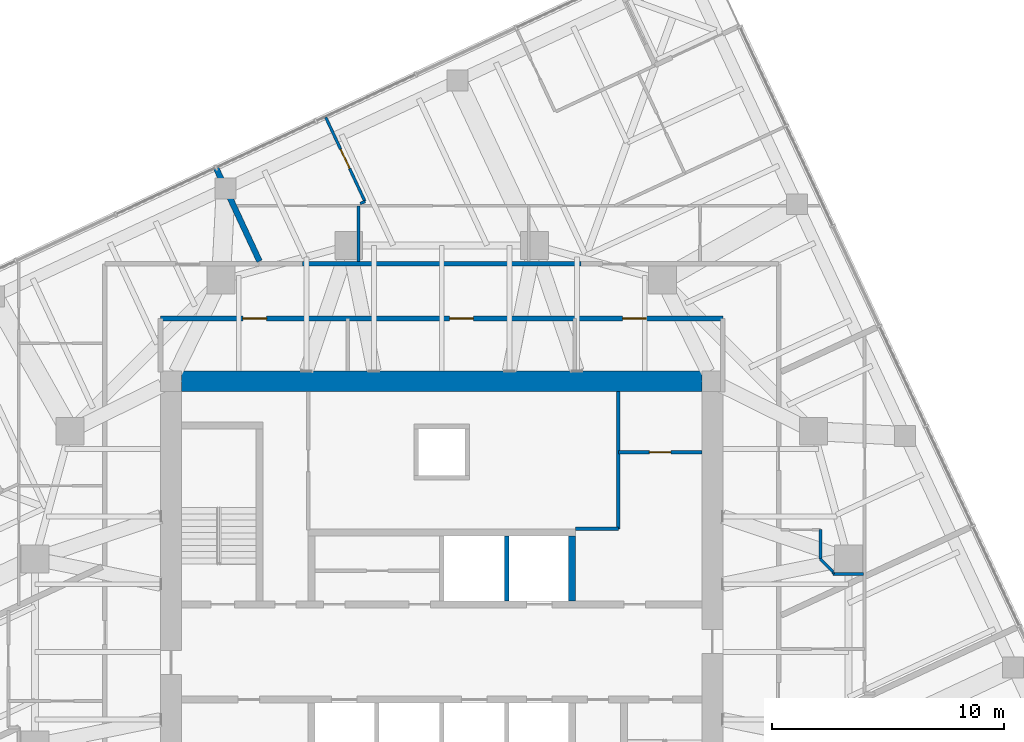
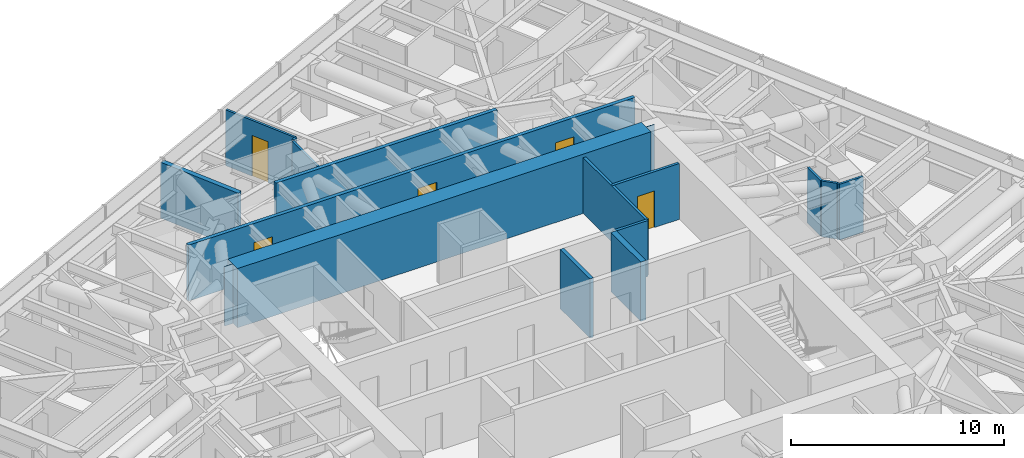
# One storey, part 13 of 16: 16 walls, 5 doors, 5 openings.
"""IFC4 building model written with IfcOpenShell, lengths in metres."""

import ifcopenshell
import ifcopenshell.guid

model = None  # the IFC model being written
_history = None  # IfcOwnerHistory: only IFC2X3 demands one
_inside = {}  # id of a spatial element -> (the spatial element, [elements in it])
_under = {}  # id of a project, library or spatial element -> (it, [spatial elements below it])
_declared = {}  # id of a project -> (the project, [libraries it declares])
_typed = {}  # id of a type object -> (the type object, [elements of that type])
_made_of = {}  # id of a material, layer set ... -> (it, [elements and type objects made of it])


def new_model(schema):
    """Start an empty IFC model of exactly this schema.

    Asked for "IFC4X3", IfcOpenShell would pick the latest addendum, in which some entities
    have other attributes; the version numbers below select the first issue.
    IFC2X3 requires an IfcOwnerHistory on every rooted entity: one is made here for all.
    """
    global model, _history
    if schema == "IFC4X3":
        model = ifcopenshell.file(schema_version=(4, 3, 0, 0))
    else:
        model = ifcopenshell.file(schema=schema)
    _inside.clear()
    _under.clear()
    _declared.clear()
    _typed.clear()
    _made_of.clear()
    _history = None
    if model.schema == "IFC2X3":
        org = make("IfcOrganization", Name="unknown")
        user = make(
            "IfcPersonAndOrganization",
            ThePerson=make("IfcPerson", FamilyName="unknown"),
            TheOrganization=org,
        )
        app = make(
            "IfcApplication",
            ApplicationDeveloper=org,
            Version="unknown",
            ApplicationFullName="unknown",
            ApplicationIdentifier="unknown",
        )
        _history = make(
            "IfcOwnerHistory",
            OwningUser=user,
            OwningApplication=app,
            ChangeAction="ADDED",
            CreationDate=0,
        )
    return model


def make(cls, **values):
    """One entity of the class cls with the attributes given. An attribute that is None is left unset."""
    return model.create_entity(
        cls, **{name: value for name, value in values.items() if value is not None}
    )


def rooted(cls, **values):
    """An entity with a GlobalId (a new one), such as an element, a storey or a relation."""
    return make(cls, GlobalId=ifcopenshell.guid.new(), OwnerHistory=_history, **values)


def si_unit(unit_type, name, prefix=None):
    """IfcSIUnit, for example si_unit("LENGTHUNIT", "METRE", prefix="MILLI")."""
    return make("IfcSIUnit", UnitType=unit_type, Prefix=prefix, Name=name)


def assignment(units):
    """IfcUnitAssignment: the units of a project."""
    return None if units is None else make("IfcUnitAssignment", Units=units)


def point(xyz):
    """IfcCartesianPoint."""
    return None if xyz is None else make("IfcCartesianPoint", Coordinates=xyz)


def direction(xyz):
    """IfcDirection."""
    return None if xyz is None else make("IfcDirection", DirectionRatios=xyz)


def frame(location, z_axis=None, x_axis=None):
    """IfcAxis2Placement3D, a coordinate frame: its origin and axes. An axis left out is left unset."""
    return make(
        "IfcAxis2Placement3D",
        Location=point(location),
        Axis=direction(z_axis),
        RefDirection=direction(x_axis),
    )


def frame_2d(location, x_axis=None):
    """IfcAxis2Placement2D, a coordinate frame in the plane: its origin and x axis."""
    return make(
        "IfcAxis2Placement2D", Location=point(location), RefDirection=direction(x_axis)
    )


def origin():
    """The frame at (0, 0, 0) with its axes left unset."""
    return frame((0.0, 0.0, 0.0))


def place(relative_to, where):
    """IfcLocalPlacement: puts the frame where relative to a parent placement (None: the world)."""
    return make(
        "IfcLocalPlacement", PlacementRelTo=relative_to, RelativePlacement=where
    )


def context(
    kind, dimensions, precision=None, world=None, true_north=None, identifier=None
):
    """IfcGeometricRepresentationContext, for example the 3D "Model" context."""
    return make(
        "IfcGeometricRepresentationContext",
        ContextIdentifier=identifier,
        ContextType=kind,
        CoordinateSpaceDimension=dimensions,
        Precision=precision,
        WorldCoordinateSystem=world,
        TrueNorth=true_north,
    )


def subcontext(parent, identifier, kind, view, scale=None):
    """IfcGeometricRepresentationSubContext, for example "Body" below "Model"."""
    return make(
        "IfcGeometricRepresentationSubContext",
        ContextIdentifier=identifier,
        ContextType=kind,
        ParentContext=parent,
        TargetScale=scale,
        TargetView=view,
    )


def project(units=None, contexts=None):
    """IfcProject with its units and contexts."""
    return rooted(
        "IfcProject",
        Name="project",
        RepresentationContexts=contexts,
        UnitsInContext=assignment(units),
    )


def spatial(cls, under=None, at=None, **own):
    """A site, building, storey or space (cls), placed at a placement, below another one or the project."""
    s = rooted(cls, ObjectPlacement=at, **own)
    if under is not None:
        _under.setdefault(under.id(), (under, []))[1].append(s)
    return s


def polyline(points):
    """IfcPolyline through the points."""
    return make("IfcPolyline", Points=[point(p) for p in points])


def profile(cls, at=None, kind="AREA", **sizes):
    """A parametric profile (cls). Its sizes go by their IFC names, for example OverallWidth=200.0."""
    return make(cls, ProfileType=kind, Position=at, **sizes)


def rectangle(**sizes):
    """IfcRectangleProfileDef."""
    return profile("IfcRectangleProfileDef", **sizes)


def outline(outer, holes=None, kind="AREA"):
    """IfcArbitraryClosedProfileDef: a profile drawn as a closed curve; with holes, ...WithVoids."""
    if holes is None:
        return make("IfcArbitraryClosedProfileDef", ProfileType=kind, OuterCurve=outer)
    return make(
        "IfcArbitraryProfileDefWithVoids",
        ProfileType=kind,
        OuterCurve=outer,
        InnerCurves=holes,
    )


def extrude(swept, where, along, depth):
    """IfcExtrudedAreaSolid: the profile swept, set in the frame where, extruded along a direction by depth."""
    return make(
        "IfcExtrudedAreaSolid",
        SweptArea=swept,
        Position=where,
        ExtrudedDirection=direction(along),
        Depth=depth,
    )


def shape(context_of_items, identifier, shape_type, items):
    """IfcShapeRepresentation: the items that make up one representation, for example the "Body"."""
    return make(
        "IfcShapeRepresentation",
        ContextOfItems=context_of_items,
        RepresentationIdentifier=identifier,
        RepresentationType=shape_type,
        Items=items,
    )


def material(Name=None, Category=None):
    """IfcMaterial."""
    return make("IfcMaterial", Name=Name, Category=Category)


def layer(
    of_material, thickness, ventilated=None, Name=None, Category=None, Priority=None
):
    """IfcMaterialLayer: one layer of a wall or slab, of a material (None: an air gap)."""
    return make(
        "IfcMaterialLayer",
        Material=of_material,
        LayerThickness=thickness,
        IsVentilated=ventilated,
        Name=Name,
        Category=Category,
        Priority=Priority,
    )


def layer_set(layers, Name=None):
    """IfcMaterialLayerSet."""
    return make("IfcMaterialLayerSet", MaterialLayers=layers, LayerSetName=Name)


def made_of(thing, what):
    """Note that an element or type object is made of a material, layer set ...; save() writes the relation."""
    if what is not None:
        _made_of.setdefault(what.id(), (what, []))[1].append(thing)
    return thing


def type_object(cls, material=None, **own):
    """A type object (cls), such as IfcWallType, which elements share."""
    return made_of(rooted(cls, **own), material)


def element(
    cls,
    number,
    at=None,
    inside=None,
    cuts=None,
    type_object=None,
    material=None,
    context=None,
    identifier="Body",
    shape_type=None,
    held_by="IfcProductDefinitionShape",
    body=None,
    shapes=None,
    **own,
):
    """One element of the class cls, such as IfcWall. Its Tag is "e" and its number.

    at: its placement. inside: the storey or other place that contains it. cuts: it is an
    opening in that element (IfcRelVoidsElement). A single representation is given by context,
    identifier, shape_type and body (its items); several are given by shapes. held_by: the class
    of the entity that holds the representations. save() writes the other relations.
    """
    e = rooted(cls, Tag="e%d" % number, ObjectPlacement=at, **own)
    if body is not None:
        shapes = [shape(context, identifier, shape_type, body)]
    if shapes is not None:
        e.Representation = make(held_by, Representations=shapes)
    if inside is not None:
        _inside.setdefault(inside.id(), (inside, []))[1].append(e)
    if cuts is not None:
        rooted(
            "IfcRelVoidsElement", RelatingBuildingElement=cuts, RelatedOpeningElement=e
        )
    if type_object is not None:
        _typed.setdefault(type_object.id(), (type_object, []))[1].append(e)
    return made_of(e, material)


def fill(opening, filler):
    """IfcRelFillsElement: the door or window that sits in an opening."""
    return rooted(
        "IfcRelFillsElement",
        RelatingOpeningElement=opening,
        RelatedBuildingElement=filler,
    )


def aggregate(whole, parts):
    """IfcRelAggregates: a whole, such as a stair, and the parts it consists of."""
    return rooted("IfcRelAggregates", RelatingObject=whole, RelatedObjects=parts)


def save(model, path):
    """Write the relations noted so far, then the file.

    IfcRelAggregates (storeys below a building ...), IfcRelContainedInSpatialStructure (elements
    in a storey), IfcRelDefinesByType, IfcRelAssociatesMaterial and IfcRelDeclares: one each for
    every whole, place, type object, material and project.
    """
    for whole, parts in _under.values():
        aggregate(whole, parts)
    for where, things in _inside.values():
        rooted(
            "IfcRelContainedInSpatialStructure",
            RelatedElements=things,
            RelatingStructure=where,
        )
    for kind, things in _typed.values():
        rooted("IfcRelDefinesByType", RelatedObjects=things, RelatingType=kind)
    for what, things in _made_of.values():
        rooted("IfcRelAssociatesMaterial", RelatedObjects=things, RelatingMaterial=what)
    for by, libraries in _declared.values():
        rooted("IfcRelDeclares", RelatingContext=by, RelatedDefinitions=libraries)
    model.write(path)


model = new_model("IFC4")

# Units and contexts
model_context = context("Model", 3, precision=1e-05, world=origin(), true_north=direction((0.0, 1.0)))
body_context = subcontext(model_context, "Body", "Model", "MODEL_VIEW")
ifc_project = project(units=[si_unit("LENGTHUNIT", "METRE"), si_unit("AREAUNIT", "SQUARE_METRE"), si_unit("VOLUMEUNIT", "CUBIC_METRE"), si_unit("PLANEANGLEUNIT", "RADIAN"), si_unit("MASSUNIT", "GRAM", prefix="KILO")], contexts=[model_context])

# Site, building, storey
site_placement = place(None, origin())
site = spatial("IfcSite", under=ifc_project, at=site_placement, CompositionType="ELEMENT")
building_placement = place(site_placement, origin())
building = spatial("IfcBuilding", under=site, at=building_placement, Name="Torsade Residences", CompositionType="ELEMENT")
storey_placement = place(building_placement, frame((0.0, 0.0, 199.800048828125)))
storey = spatial("IfcBuildingStorey", under=building, at=storey_placement, Name="L55", CompositionType="ELEMENT", Elevation=199.800048828125)

# Walls
ifc_material_1 = material(Name="Concrete 80 MPa", Category="concrete")
ifc_layer_1 = layer(ifc_material_1, 0.300048828125)
ifc_layer_set_1 = layer_set([ifc_layer_1], Name="Concrete 80 MPa")
wall_type_1 = type_object("IfcWallType", Name="CORE INTERNAL WALL 300", PredefinedType="SHEAR", material=ifc_layer_set_1)
wall_1_placement = place(storey_placement, frame((45.60009765625, 32.199951171875, 0.0), z_axis=(0.0, 0.0, 1.0), x_axis=(0.0, 1.0, 0.0)))
element("IfcWall", 1, at=wall_1_placement, inside=storey, type_object=wall_type_1, Name="Core wall DN4 L55", PredefinedType="SHEAR", context=body_context, shape_type="SweptSolid", body=[
    extrude(rectangle(XDim=2.800048828125, YDim=0.300048828125, at=frame_2d((1.39990234375, 0.0))), origin(), (0.0, 0.0, 1.0), 3.39990234375),
])
ifc_material_2 = material(Name="Concrete 80 MPa", Category="concrete")
ifc_layer_2 = layer(ifc_material_2, 0.89990234375)
ifc_layer_set_2 = layer_set([ifc_layer_2], Name="Concrete 80 MPa")
wall_type_2 = type_object("IfcWallType", Name="CORE WALL 900", PredefinedType="SHEAR", material=ifc_layer_set_2)
wall_2_placement = place(storey_placement, frame((28.800048828125, 41.64990234375, 0.0), z_axis=(0.0, 0.0, 1.0), x_axis=(1.0, 0.0, 0.0)))
element("IfcWall", 2, at=wall_2_placement, inside=storey, type_object=wall_type_2, Name="Core wall N L55", PredefinedType="SHEAR", context=body_context, shape_type="SweptSolid", body=[
    extrude(outline(polyline([(0.0, -0.449951171875), (22.39990234375, -0.449951171875), (22.39990234375, -0.02490234375), (22.849853515625, -0.02490234375), (22.849853515625, 0.02490234375), (22.39990234375, 0.02490234375), (22.39990234375, 0.449951171875), (0.0, 0.449951171875), (0.0, 0.02490234375), (-0.449951171875, 0.02490234375), (-0.449951171875, -0.02490234375), (0.0, -0.02490234375), (0.0, -0.449951171875)])), origin(), (0.0, 0.0, 1.0), 3.39990234375),
])
ifc_material_3 = material(Name="Plasterboard on steel stud", Category="steel")
ifc_layer_3 = layer(ifc_material_3, 0.199951171875)
ifc_layer_set_3 = layer_set([ifc_layer_3], Name="Plasterboard on steel stud")
wall_type_3 = type_object("IfcWallType", Name="CORRIDOR WALL 200", PredefinedType="PARTITIONING", material=ifc_layer_set_3)
wall_3_placement = place(storey_placement, frame((45.99658203125, 46.699951171875, 0.0), z_axis=(0.0, 0.0, 1.0), x_axis=(-1.0, 0.0, 0.0)))
element("IfcWall", 3, at=wall_3_placement, inside=storey, type_object=wall_type_3, Name="Corridor wall L55", PredefinedType="PARTITIONING", context=body_context, shape_type="SweptSolid", body=[
    extrude(rectangle(XDim=11.9931640625, YDim=0.199951171875, at=frame_2d((5.99658203125, 0.0))), origin(), (0.0, 0.0, 1.0), 3.199951171875),
])

# Wall, openings, doors
wall_4_placement = place(storey_placement, frame((52.10009765625, 44.35009765625, 0.0), z_axis=(0.0, 0.0, 1.0), x_axis=(-1.0, 0.0, 0.0)))
wall_4 = element("IfcWall", 4, at=wall_4_placement, inside=storey, type_object=wall_type_3, Name="Corridor wall L55", PredefinedType="PARTITIONING", context=body_context, shape_type="SweptSolid", body=[
    extrude(rectangle(XDim=24.2001953125, YDim=0.199951171875, at=frame_2d((12.10009765625, 0.0))), origin(), (0.0, 0.0, 1.0), 3.199951171875),
])
opening_1_placement = place(wall_4_placement, frame((10.742919921875, 0.0, 0.0)))
opening_1 = element("IfcOpeningElement", 5, at=opening_1_placement, cuts=wall_4, Name="Opening D03", PredefinedType="OPENING", context=body_context, shape_type="SweptSolid", body=[
    extrude(rectangle(XDim=1.02001953125, YDim=2.10009765625, at=frame_2d((0.510009765625, 1.050048828125))), frame((0.0, 0.10986328125, 0.0), z_axis=(0.0, -1.0, 0.0), x_axis=(1.0, 0.0, 0.0)), (0.0, 0.0, 1.0), 0.219970703125),
])
opening_2_placement = place(wall_4_placement, frame((19.6357421875, 0.0, 0.0)))
opening_2 = element("IfcOpeningElement", 6, at=opening_2_placement, cuts=wall_4, Name="Opening D03", PredefinedType="OPENING", context=body_context, shape_type="SweptSolid", body=[
    extrude(rectangle(XDim=1.02001953125, YDim=2.10009765625, at=frame_2d((0.510009765625, 1.050048828125))), frame((0.0, 0.10986328125, 0.0), z_axis=(0.0, -1.0, 0.0), x_axis=(1.0, 0.0, 0.0)), (0.0, 0.0, 1.0), 0.219970703125),
])
opening_3_placement = place(wall_4_placement, frame((3.29736328125, 0.0, 0.0)))
opening_3 = element("IfcOpeningElement", 7, at=opening_3_placement, cuts=wall_4, Name="Opening D03", PredefinedType="OPENING", context=body_context, shape_type="SweptSolid", body=[
    extrude(rectangle(XDim=1.02001953125, YDim=2.10009765625, at=frame_2d((0.510009765625, 1.050048828125))), frame((0.0, 0.10986328125, 0.0), z_axis=(0.0, -1.0, 0.0), x_axis=(1.0, 0.0, 0.0)), (0.0, 0.0, 1.0), 0.219970703125),
])
ifc_material_4 = material(Name="Steel-framed fire door", Category="steel")
door_type_1 = type_object("IfcDoorType", Name="FIRE DOOR 1020", OperationType="NOTDEFINED", PredefinedType="DOOR", material=ifc_material_4)
door_1_placement = place(opening_1_placement, origin())
door_1 = element("IfcDoor", 8, at=door_1_placement, inside=storey, type_object=door_type_1, Name="Door Residential corridor to Residents storage", OperationType="SINGLE_SWING_LEFT", OverallHeight=2.10009765625, OverallWidth=1.02001953125, PredefinedType="DOOR", context=body_context, shape_type="SweptSolid", body=[
    extrude(rectangle(XDim=1.02001953125, YDim=2.10009765625, at=frame_2d((0.510009765625, 1.050048828125))), frame((0.0, 0.02490234375, 0.0), z_axis=(0.0, -1.0, 0.0), x_axis=(1.0, 0.0, 0.0)), (0.0, 0.0, 1.0), 0.050048828125),
])
fill(opening_1, door_1)
door_2_placement = place(opening_2_placement, origin())
door_2 = element("IfcDoor", 9, at=door_2_placement, inside=storey, type_object=door_type_1, Name="Door Residential corridor to Bulk store", OperationType="SINGLE_SWING_LEFT", OverallHeight=2.10009765625, OverallWidth=1.02001953125, PredefinedType="DOOR", context=body_context, shape_type="SweptSolid", body=[
    extrude(rectangle(XDim=1.02001953125, YDim=2.10009765625, at=frame_2d((0.510009765625, 1.050048828125))), frame((0.0, 0.02490234375, 0.0), z_axis=(0.0, -1.0, 0.0), x_axis=(1.0, 0.0, 0.0)), (0.0, 0.0, 1.0), 0.050048828125),
])
fill(opening_2, door_2)
door_3_placement = place(opening_3_placement, origin())
door_3 = element("IfcDoor", 10, at=door_3_placement, inside=storey, type_object=door_type_1, Name="Door Residential corridor to Parcel room", OperationType="SINGLE_SWING_RIGHT", OverallHeight=2.10009765625, OverallWidth=1.02001953125, PredefinedType="DOOR", context=body_context, shape_type="SweptSolid", body=[
    extrude(rectangle(XDim=1.02001953125, YDim=2.10009765625, at=frame_2d((0.510009765625, 1.050048828125))), frame((0.0, 0.02490234375, 0.0), z_axis=(0.0, -1.0, 0.0), x_axis=(1.0, 0.0, 0.0)), (0.0, 0.0, 1.0), 0.050048828125),
])
fill(opening_3, door_3)

# Walls
ifc_material_5 = material(Name="Reinforced blockwork", Category="masonry")
ifc_layer_4 = layer(ifc_material_5, 0.199951171875)
ifc_layer_set_4 = layer_set([ifc_layer_4], Name="Reinforced blockwork")
wall_type_4 = type_object("IfcWallType", Name="LIFT SHAFT DIVIDING WALL 200", PredefinedType="SOLIDWALL", material=ifc_layer_set_4)
wall_5_placement = place(storey_placement, frame((42.800048828125, 32.199951171875, 0.0), z_axis=(0.0, 0.0, 1.0), x_axis=(0.0, 1.0, 0.0)))
element("IfcWall", 11, at=wall_5_placement, inside=storey, type_object=wall_type_4, Name="Core wall DN3 L55", PredefinedType="SOLIDWALL", context=body_context, shape_type="SweptSolid", body=[
    extrude(rectangle(XDim=2.800048828125, YDim=0.199951171875, at=frame_2d((1.39990234375, 0.0))), origin(), (0.0, 0.0, 1.0), 3.39990234375),
])
ifc_material_6 = material(Name="Plasterboard on steel stud", Category="steel")
ifc_layer_5 = layer(ifc_material_6, 0.1201171875)
ifc_layer_set_5 = layer_set([ifc_layer_5], Name="Plasterboard on steel stud")
wall_type_5 = type_object("IfcWallType", Name="PARTITION 120", PredefinedType="PARTITIONING", material=ifc_layer_set_5)
wall_6_placement = place(storey_placement, frame((58.14990234375, 33.35009765625, 0.0), z_axis=(0.0, 0.0, 1.0), x_axis=(-1.0, 0.0, 0.0)))
element("IfcWall", 12, at=wall_6_placement, inside=storey, type_object=wall_type_5, Name="Partition L55", PredefinedType="PARTITIONING", context=body_context, shape_type="SweptSolid", body=[
    extrude(rectangle(XDim=1.2998046875, YDim=0.1201171875, at=frame_2d((0.64990234375, 0.0))), origin(), (0.0, 0.0, 1.0), 3.199951171875),
])
wall_7_placement = place(storey_placement, frame((56.85009765625, 33.449951171875, 0.0), z_axis=(0.0, 0.0, 1.0), x_axis=(-0.707106781187, 0.707106781187, 0.0)))
element("IfcWall", 13, at=wall_7_placement, inside=storey, type_object=wall_type_5, Name="Partition L55", PredefinedType="PARTITIONING", context=body_context, shape_type="SweptSolid", body=[
    extrude(rectangle(XDim=0.77783203125, YDim=0.1201171875, at=frame_2d((0.388916015625, 0.0))), origin(), (0.0, 0.0, 1.0), 3.199951171875),
])
wall_8_placement = place(storey_placement, frame((56.300048828125, 34.0, 0.0), z_axis=(0.0, 0.0, 1.0), x_axis=(0.0, 1.0, 0.0)))
element("IfcWall", 14, at=wall_8_placement, inside=storey, type_object=wall_type_5, Name="Partition L55", PredefinedType="PARTITIONING", context=body_context, shape_type="SweptSolid", body=[
    extrude(rectangle(XDim=1.259765625, YDim=0.1201171875, at=frame_2d((0.6298828125, 0.0))), origin(), (0.0, 0.0, 1.0), 3.199951171875),
])
wall_9_placement = place(storey_placement, frame((36.418212890625, 49.199951171875, 0.0), z_axis=(0.0, 0.0, 1.0), x_axis=(0.0, -1.0, 0.0)))
element("IfcWall", 15, at=wall_9_placement, inside=storey, type_object=wall_type_5, Name="Partition L55", PredefinedType="PARTITIONING", context=body_context, shape_type="SweptSolid", body=[
    extrude(rectangle(XDim=2.39990234375, YDim=0.1201171875, at=frame_2d((1.199951171875, 0.0))), origin(), (0.0, 0.0, 1.0), 3.199951171875),
])
wall_10_placement = place(storey_placement, frame((36.492431640625, 49.295166015625, 0.0), z_axis=(0.0, 0.0, 1.0), x_axis=(0.906653589403, 0.421875892677, 0.0)))
element("IfcWall", 16, at=wall_10_placement, inside=storey, type_object=wall_type_5, Name="Partition L55", PredefinedType="PARTITIONING", context=body_context, shape_type="SweptSolid", body=[
    extrude(rectangle(XDim=0.22509765625, YDim=0.1201171875, at=frame_2d((0.112548828125, 0.0))), origin(), (0.0, 0.0, 1.0), 3.199951171875),
])

# Wall, opening, door
wall_11_placement = place(storey_placement, frame((36.696533203125, 49.39013671875, 0.0), z_axis=(0.0, 0.0, 1.0), x_axis=(-0.422771582019, 0.906236276827, 0.0)))
wall_11 = element("IfcWall", 17, at=wall_11_placement, inside=storey, type_object=wall_type_5, Name="Partition L55", PredefinedType="PARTITIONING", context=body_context, shape_type="SweptSolid", body=[
    extrude(rectangle(XDim=3.990478515625, YDim=0.1201171875, at=frame_2d((1.9951171875, 0.0))), origin(), (0.0, 0.0, 1.0), 3.199951171875),
])
opening_4_placement = place(wall_11_placement, frame((1.55517578125, 0.0, 0.0)))
opening_4 = element("IfcOpeningElement", 18, at=opening_4_placement, cuts=wall_11, Name="Opening D02", PredefinedType="OPENING", context=body_context, shape_type="SweptSolid", body=[
    extrude(rectangle(XDim=0.919921875, YDim=2.340087890625, at=frame_2d((0.4599609375, 1.169921875))), frame((0.0, 0.070068359375, 0.0), z_axis=(0.0, -1.0, 0.0), x_axis=(1.0, 0.0, 0.0)), (0.0, 0.0, 1.0), 0.14013671875),
])
ifc_material_7 = material(Name="Hollow-core timber door", Category="wood")
door_type_2 = type_object("IfcDoorType", Name="INTERNAL DOOR 920x2340", OperationType="NOTDEFINED", PredefinedType="DOOR", material=ifc_material_7)
door_4_placement = place(opening_4_placement, origin())
door_4 = element("IfcDoor", 19, at=door_4_placement, inside=storey, type_object=door_type_2, Name="Door Living room to Study 2", OperationType="SINGLE_SWING_LEFT", OverallHeight=2.340087890625, OverallWidth=0.919921875, PredefinedType="DOOR", context=body_context, shape_type="SweptSolid", body=[
    extrude(rectangle(XDim=0.919921875, YDim=2.340087890625, at=frame_2d((0.4599609375, 1.169921875))), frame((0.0, 0.02490234375, 0.0), z_axis=(0.0, -1.0, 0.0), x_axis=(1.0, 0.0, 0.0)), (0.0, 0.0, 1.0), 0.050048828125),
])
fill(opening_4, door_4)

# Walls
wall_12_placement = place(storey_placement, frame((56.85009765625, 33.35009765625, 0.0), z_axis=(0.0, 0.0, 1.0), x_axis=(0.0, 1.0, 0.0)))
element("IfcWall", 20, at=wall_12_placement, inside=storey, type_object=wall_type_5, Name="Partition L55", PredefinedType="PARTITIONING", context=body_context, shape_type="SweptSolid", body=[
    extrude(rectangle(XDim=0.099853515625, YDim=0.1201171875, at=frame_2d((0.0498046875, 0.0))), origin(), (0.0, 0.0, 1.0), 3.199951171875),
])
ifc_material_8 = material(Name="Masonry-lined stud party wall", Category="masonry")
ifc_layer_6 = layer(ifc_material_8, 0.25)
ifc_layer_set_6 = layer_set([ifc_layer_6], Name="Masonry-lined stud party wall")
wall_type_6 = type_object("IfcWallType", Name="PARTY WALL 250", PredefinedType="PARTITIONING", material=ifc_layer_set_6)
wall_13_placement = place(storey_placement, frame((30.27978515625, 50.844970703125, 0.0), z_axis=(0.0, 0.0, 1.0), x_axis=(0.422614816594, -0.906309393527, 0.0)))
element("IfcWall", 21, at=wall_13_placement, inside=storey, type_object=wall_type_6, Name="Party wall L55", PredefinedType="PARTITIONING", context=body_context, shape_type="SweptSolid", body=[
    extrude(rectangle(XDim=4.44482421875, YDim=0.25, at=frame_2d((2.222412109375, 0.0))), origin(), (0.0, 0.0, 1.0), 3.199951171875),
])
ifc_material_9 = material(Name="Reinforced blockwork", Category="masonry")
ifc_layer_7 = layer(ifc_material_9, 0.14990234375)
ifc_layer_set_7 = layer_set([ifc_layer_7], Name="Reinforced blockwork")
wall_type_7 = type_object("IfcWallType", Name="SERVICE ROOM WALL 150", PredefinedType="SOLIDWALL", material=ifc_layer_set_7)
wall_14_placement = place(storey_placement, frame((47.60009765625, 41.199951171875, 0.0), z_axis=(0.0, 0.0, 1.0), x_axis=(0.0, -1.0, 0.0)))
element("IfcWall", 22, at=wall_14_placement, inside=storey, type_object=wall_type_7, Name="Service room wall L55", PredefinedType="SOLIDWALL", context=body_context, shape_type="SweptSolid", body=[
    extrude(rectangle(XDim=5.89990234375, YDim=0.14990234375, at=frame_2d((2.949951171875, 0.0))), origin(), (0.0, 0.0, 1.0), 3.199951171875),
])
wall_15_placement = place(storey_placement, frame((47.60009765625, 35.300048828125, 0.0), z_axis=(0.0, 0.0, 1.0), x_axis=(-1.0, 0.0, 0.0)))
element("IfcWall", 23, at=wall_15_placement, inside=storey, type_object=wall_type_7, Name="Service room wall L55", PredefinedType="SOLIDWALL", context=body_context, shape_type="SweptSolid", body=[
    extrude(rectangle(XDim=1.85009765625, YDim=0.14990234375, at=frame_2d((0.925048828125, 0.0))), origin(), (0.0, 0.0, 1.0), 3.199951171875),
])

# Wall, opening, door
wall_16_placement = place(storey_placement, frame((47.60009765625, 38.60009765625, 0.0), z_axis=(0.0, 0.0, 1.0), x_axis=(1.0, 0.0, 0.0)))
wall_16 = element("IfcWall", 24, at=wall_16_placement, inside=storey, type_object=wall_type_7, Name="Service room wall L55", PredefinedType="SOLIDWALL", context=body_context, shape_type="SweptSolid", body=[
    extrude(rectangle(XDim=3.599853515625, YDim=0.14990234375, at=frame_2d((1.7998046875, 0.0))), origin(), (0.0, 0.0, 1.0), 3.199951171875),
])
opening_5_placement = place(wall_16_placement, frame((1.340087890625, 0.0, 0.0)))
opening_5 = element("IfcOpeningElement", 25, at=opening_5_placement, cuts=wall_16, Name="Opening D06", PredefinedType="OPENING", context=body_context, shape_type="SweptSolid", body=[
    extrude(rectangle(XDim=0.919921875, YDim=2.10009765625, at=frame_2d((0.4599609375, 1.050048828125))), frame((0.0, 0.0849609375, 0.0), z_axis=(0.0, -1.0, 0.0), x_axis=(1.0, 0.0, 0.0)), (0.0, 0.0, 1.0), 0.169921875),
])
ifc_material_10 = material(Name="Steel-framed fire door", Category="steel")
door_type_3 = type_object("IfcDoorType", Name="FIRE DOOR 920", OperationType="NOTDEFINED", PredefinedType="DOOR", material=ifc_material_10)
door_5_placement = place(opening_5_placement, origin())
door_5 = element("IfcDoor", 26, at=door_5_placement, inside=storey, type_object=door_type_3, Name="Door Refuse room to Linen store", OperationType="SINGLE_SWING_LEFT", OverallHeight=2.10009765625, OverallWidth=0.919921875, PredefinedType="DOOR", context=body_context, shape_type="SweptSolid", body=[
    extrude(rectangle(XDim=0.919921875, YDim=2.10009765625, at=frame_2d((0.4599609375, 1.050048828125))), frame((0.0, 0.02490234375, 0.0), z_axis=(0.0, -1.0, 0.0), x_axis=(1.0, 0.0, 0.0)), (0.0, 0.0, 1.0), 0.050048828125),
])
fill(opening_5, door_5)

save(model, "model.ifc")
